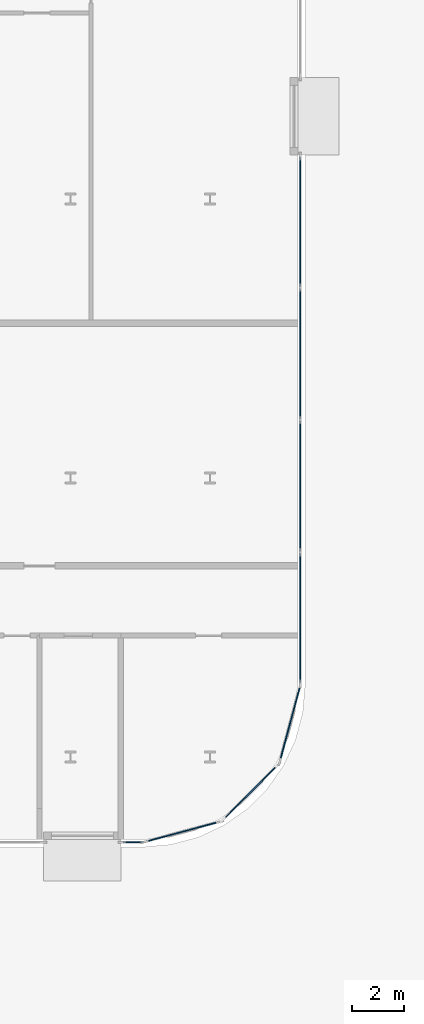
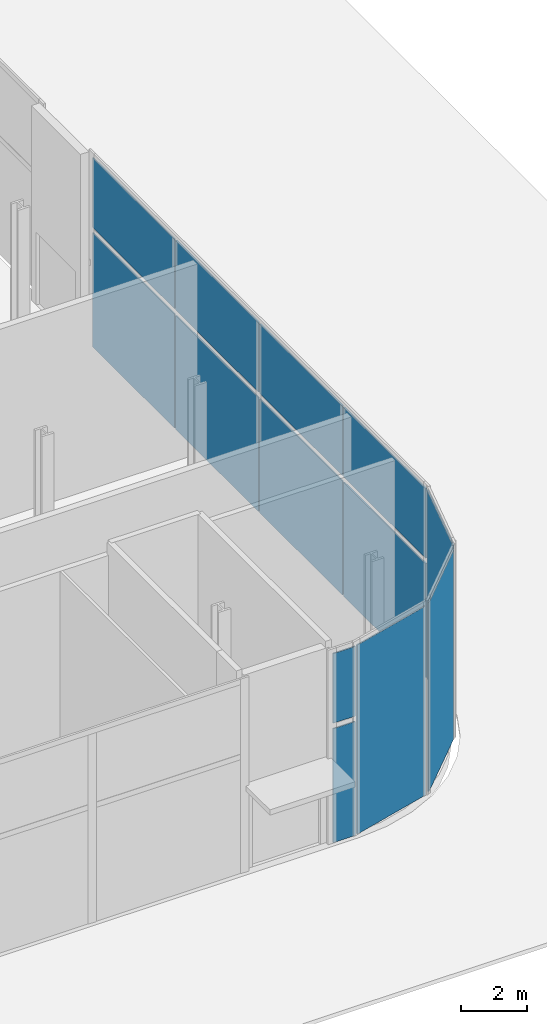
# One storey, part 20 of 46: 13 plates, 5 elements without a shape of their own.
"""IFC4 building model written with IfcOpenShell, lengths in metres."""

import ifcopenshell
import ifcopenshell.guid

model = None  # the IFC model being written
_history = None  # IfcOwnerHistory: only IFC2X3 demands one
_inside = {}  # id of a spatial element -> (the spatial element, [elements in it])
_under = {}  # id of a project, library or spatial element -> (it, [spatial elements below it])
_declared = {}  # id of a project -> (the project, [libraries it declares])
_typed = {}  # id of a type object -> (the type object, [elements of that type])
_made_of = {}  # id of a material, layer set ... -> (it, [elements and type objects made of it])


def new_model(schema):
    """Start an empty IFC model of exactly this schema.

    Asked for "IFC4X3", IfcOpenShell would pick the latest addendum, in which some entities
    have other attributes; the version numbers below select the first issue.
    IFC2X3 requires an IfcOwnerHistory on every rooted entity: one is made here for all.
    """
    global model, _history
    if schema == "IFC4X3":
        model = ifcopenshell.file(schema_version=(4, 3, 0, 0))
    else:
        model = ifcopenshell.file(schema=schema)
    _inside.clear()
    _under.clear()
    _declared.clear()
    _typed.clear()
    _made_of.clear()
    _history = None
    if model.schema == "IFC2X3":
        org = make("IfcOrganization", Name="unknown")
        user = make(
            "IfcPersonAndOrganization",
            ThePerson=make("IfcPerson", FamilyName="unknown"),
            TheOrganization=org,
        )
        app = make(
            "IfcApplication",
            ApplicationDeveloper=org,
            Version="unknown",
            ApplicationFullName="unknown",
            ApplicationIdentifier="unknown",
        )
        _history = make(
            "IfcOwnerHistory",
            OwningUser=user,
            OwningApplication=app,
            ChangeAction="ADDED",
            CreationDate=0,
        )
    return model


def make(cls, **values):
    """One entity of the class cls with the attributes given. An attribute that is None is left unset."""
    return model.create_entity(
        cls, **{name: value for name, value in values.items() if value is not None}
    )


def rooted(cls, **values):
    """An entity with a GlobalId (a new one), such as an element, a storey or a relation."""
    return make(cls, GlobalId=ifcopenshell.guid.new(), OwnerHistory=_history, **values)


def si_unit(unit_type, name, prefix=None):
    """IfcSIUnit, for example si_unit("LENGTHUNIT", "METRE", prefix="MILLI")."""
    return make("IfcSIUnit", UnitType=unit_type, Prefix=prefix, Name=name)


def assignment(units):
    """IfcUnitAssignment: the units of a project."""
    return None if units is None else make("IfcUnitAssignment", Units=units)


def point(xyz):
    """IfcCartesianPoint."""
    return None if xyz is None else make("IfcCartesianPoint", Coordinates=xyz)


def direction(xyz):
    """IfcDirection."""
    return None if xyz is None else make("IfcDirection", DirectionRatios=xyz)


def frame(location, z_axis=None, x_axis=None):
    """IfcAxis2Placement3D, a coordinate frame: its origin and axes. An axis left out is left unset."""
    return make(
        "IfcAxis2Placement3D",
        Location=point(location),
        Axis=direction(z_axis),
        RefDirection=direction(x_axis),
    )


def frame_2d(location, x_axis=None):
    """IfcAxis2Placement2D, a coordinate frame in the plane: its origin and x axis."""
    return make(
        "IfcAxis2Placement2D", Location=point(location), RefDirection=direction(x_axis)
    )


def origin():
    """The frame at (0, 0, 0) with its axes left unset."""
    return frame((0.0, 0.0, 0.0))


def origin_2d():
    """The frame at (0, 0) in the plane with its x axis left unset."""
    return frame_2d((0.0, 0.0))


def place(relative_to, where):
    """IfcLocalPlacement: puts the frame where relative to a parent placement (None: the world)."""
    return make(
        "IfcLocalPlacement", PlacementRelTo=relative_to, RelativePlacement=where
    )


def context(
    kind, dimensions, precision=None, world=None, true_north=None, identifier=None
):
    """IfcGeometricRepresentationContext, for example the 3D "Model" context."""
    return make(
        "IfcGeometricRepresentationContext",
        ContextIdentifier=identifier,
        ContextType=kind,
        CoordinateSpaceDimension=dimensions,
        Precision=precision,
        WorldCoordinateSystem=world,
        TrueNorth=true_north,
    )


def subcontext(parent, identifier, kind, view, scale=None):
    """IfcGeometricRepresentationSubContext, for example "Body" below "Model"."""
    return make(
        "IfcGeometricRepresentationSubContext",
        ContextIdentifier=identifier,
        ContextType=kind,
        ParentContext=parent,
        TargetScale=scale,
        TargetView=view,
    )


def project(units=None, contexts=None):
    """IfcProject with its units and contexts."""
    return rooted(
        "IfcProject",
        Name="project",
        RepresentationContexts=contexts,
        UnitsInContext=assignment(units),
    )


def spatial(cls, under=None, at=None, **own):
    """A site, building, storey or space (cls), placed at a placement, below another one or the project."""
    s = rooted(cls, ObjectPlacement=at, **own)
    if under is not None:
        _under.setdefault(under.id(), (under, []))[1].append(s)
    return s


def profile(cls, at=None, kind="AREA", **sizes):
    """A parametric profile (cls). Its sizes go by their IFC names, for example OverallWidth=200.0."""
    return make(cls, ProfileType=kind, Position=at, **sizes)


def rectangle(**sizes):
    """IfcRectangleProfileDef."""
    return profile("IfcRectangleProfileDef", **sizes)


def extrude(swept, where, along, depth):
    """IfcExtrudedAreaSolid: the profile swept, set in the frame where, extruded along a direction by depth."""
    return make(
        "IfcExtrudedAreaSolid",
        SweptArea=swept,
        Position=where,
        ExtrudedDirection=direction(along),
        Depth=depth,
    )


def shape(context_of_items, identifier, shape_type, items):
    """IfcShapeRepresentation: the items that make up one representation, for example the "Body"."""
    return make(
        "IfcShapeRepresentation",
        ContextOfItems=context_of_items,
        RepresentationIdentifier=identifier,
        RepresentationType=shape_type,
        Items=items,
    )


def material(Name=None, Category=None):
    """IfcMaterial."""
    return make("IfcMaterial", Name=Name, Category=Category)


def layer(
    of_material, thickness, ventilated=None, Name=None, Category=None, Priority=None
):
    """IfcMaterialLayer: one layer of a wall or slab, of a material (None: an air gap)."""
    return make(
        "IfcMaterialLayer",
        Material=of_material,
        LayerThickness=thickness,
        IsVentilated=ventilated,
        Name=Name,
        Category=Category,
        Priority=Priority,
    )


def layer_set(layers, Name=None):
    """IfcMaterialLayerSet."""
    return make("IfcMaterialLayerSet", MaterialLayers=layers, LayerSetName=Name)


def made_of(thing, what):
    """Note that an element or type object is made of a material, layer set ...; save() writes the relation."""
    if what is not None:
        _made_of.setdefault(what.id(), (what, []))[1].append(thing)
    return thing


def type_object(cls, material=None, **own):
    """A type object (cls), such as IfcWallType, which elements share."""
    return made_of(rooted(cls, **own), material)


def element(
    cls,
    number,
    at=None,
    inside=None,
    cuts=None,
    type_object=None,
    material=None,
    context=None,
    identifier="Body",
    shape_type=None,
    held_by="IfcProductDefinitionShape",
    body=None,
    shapes=None,
    **own,
):
    """One element of the class cls, such as IfcWall. Its Tag is "e" and its number.

    at: its placement. inside: the storey or other place that contains it. cuts: it is an
    opening in that element (IfcRelVoidsElement). A single representation is given by context,
    identifier, shape_type and body (its items); several are given by shapes. held_by: the class
    of the entity that holds the representations. save() writes the other relations.
    """
    e = rooted(cls, Tag="e%d" % number, ObjectPlacement=at, **own)
    if body is not None:
        shapes = [shape(context, identifier, shape_type, body)]
    if shapes is not None:
        e.Representation = make(held_by, Representations=shapes)
    if inside is not None:
        _inside.setdefault(inside.id(), (inside, []))[1].append(e)
    if cuts is not None:
        rooted(
            "IfcRelVoidsElement", RelatingBuildingElement=cuts, RelatedOpeningElement=e
        )
    if type_object is not None:
        _typed.setdefault(type_object.id(), (type_object, []))[1].append(e)
    return made_of(e, material)


def aggregate(whole, parts):
    """IfcRelAggregates: a whole, such as a stair, and the parts it consists of."""
    return rooted("IfcRelAggregates", RelatingObject=whole, RelatedObjects=parts)


def save(model, path):
    """Write the relations noted so far, then the file.

    IfcRelAggregates (storeys below a building ...), IfcRelContainedInSpatialStructure (elements
    in a storey), IfcRelDefinesByType, IfcRelAssociatesMaterial and IfcRelDeclares: one each for
    every whole, place, type object, material and project.
    """
    for whole, parts in _under.values():
        aggregate(whole, parts)
    for where, things in _inside.values():
        rooted(
            "IfcRelContainedInSpatialStructure",
            RelatedElements=things,
            RelatingStructure=where,
        )
    for kind, things in _typed.values():
        rooted("IfcRelDefinesByType", RelatedObjects=things, RelatingType=kind)
    for what, things in _made_of.values():
        rooted("IfcRelAssociatesMaterial", RelatedObjects=things, RelatingMaterial=what)
    for by, libraries in _declared.values():
        rooted("IfcRelDeclares", RelatingContext=by, RelatedDefinitions=libraries)
    model.write(path)


model = new_model("IFC4")

# Units and contexts
model_context = context("Model", 3, precision=1e-05, world=origin(), true_north=direction((0.0, 1.0)))
body_context = subcontext(model_context, "Body", "Model", "MODEL_VIEW")
ifc_project = project(units=[si_unit("LENGTHUNIT", "METRE"), si_unit("AREAUNIT", "SQUARE_METRE"), si_unit("VOLUMEUNIT", "CUBIC_METRE"), si_unit("PLANEANGLEUNIT", "RADIAN"), si_unit("MASSUNIT", "GRAM", prefix="KILO")], contexts=[model_context])

# Site, building, storey
site_placement = place(None, origin())
site = spatial("IfcSite", under=ifc_project, at=site_placement, CompositionType="ELEMENT")
building_placement = place(site_placement, origin())
building = spatial("IfcBuilding", under=site, at=building_placement, Name="Kheshtan School and Residences Tower", CompositionType="ELEMENT")
storey_placement = place(building_placement, origin())
storey = spatial("IfcBuildingStorey", under=building, at=storey_placement, Name="L00", CompositionType="ELEMENT", Elevation=0.0)

# Curtain wall, plates
ifc_material = material(Name="Clear low-e glass in thermally broken aluminium frame", Category="aluminium")
ifc_layer_1 = layer(ifc_material, 0.300048828125)
ifc_layer_set_1 = layer_set([ifc_layer_1], Name="Curtain wall CW-A")
curtain_wall_type = type_object("IfcCurtainWallType", Name="Curtain wall CW-A", PredefinedType="NOTDEFINED", material=ifc_layer_set_1)
curtain_wall_1_placement = place(storey_placement, origin())
curtain_wall_1 = element("IfcCurtainWall", 1, at=curtain_wall_1_placement, inside=storey, type_object=curtain_wall_type, Name="Curtain wall CWA8", PredefinedType="NOTDEFINED")
ifc_layer_2 = layer(ifc_material, 0.0439453125)
ifc_layer_set_2 = layer_set([ifc_layer_2], Name="CW-A glass panel")
plate_type = type_object("IfcPlateType", Name="CW-A glass panel", PredefinedType="CURTAIN_PANEL", material=ifc_layer_set_2)
plate_1_placement = place(storey_placement, frame((132.10009765625, 33.918701171875, 0.0), z_axis=(0.0, 0.0, 1.0), x_axis=(0.0, -1.0, 0.0)))
plate_1 = element("IfcPlate", 2, at=plate_1_placement, type_object=plate_type, Name="CWA8 panel 1.1", PredefinedType="CURTAIN_PANEL", context=body_context, shape_type="SweptSolid", body=[
    extrude(rectangle(XDim=5.012451171875, YDim=0.0439453125, at=origin_2d()), origin(), (0.0, 0.0, 1.0), 4.25),
])
plate_2_placement = place(storey_placement, frame((132.10009765625, 33.918701171875, 4.449951171875), z_axis=(0.0, 0.0, 1.0), x_axis=(0.0, -1.0, 0.0)))
plate_2 = element("IfcPlate", 3, at=plate_2_placement, type_object=plate_type, Name="CWA8 panel 1.2", PredefinedType="CURTAIN_PANEL", context=body_context, shape_type="SweptSolid", body=[
    extrude(rectangle(XDim=5.012451171875, YDim=0.0439453125, at=origin_2d()), origin(), (0.0, 0.0, 1.0), 2.60009765625),
])
plate_3_placement = place(storey_placement, frame((132.10009765625, 28.8125, 0.0), z_axis=(0.0, 0.0, 1.0), x_axis=(0.0, -1.0, 0.0)))
plate_3 = element("IfcPlate", 4, at=plate_3_placement, type_object=plate_type, Name="CWA8 panel 2.1", PredefinedType="CURTAIN_PANEL", context=body_context, shape_type="SweptSolid", body=[
    extrude(rectangle(XDim=5.050048828125, YDim=0.0439453125, at=origin_2d()), origin(), (0.0, 0.0, 1.0), 4.25),
])
plate_4_placement = place(storey_placement, frame((132.10009765625, 28.8125, 4.449951171875), z_axis=(0.0, 0.0, 1.0), x_axis=(0.0, -1.0, 0.0)))
plate_4 = element("IfcPlate", 5, at=plate_4_placement, type_object=plate_type, Name="CWA8 panel 2.2", PredefinedType="CURTAIN_PANEL", context=body_context, shape_type="SweptSolid", body=[
    extrude(rectangle(XDim=5.050048828125, YDim=0.0439453125, at=origin_2d()), origin(), (0.0, 0.0, 1.0), 2.60009765625),
])
plate_5_placement = place(storey_placement, frame((132.10009765625, 23.6875, 0.0), z_axis=(0.0, 0.0, 1.0), x_axis=(0.0, -1.0, 0.0)))
plate_5 = element("IfcPlate", 6, at=plate_5_placement, type_object=plate_type, Name="CWA8 panel 3.1", PredefinedType="CURTAIN_PANEL", context=body_context, shape_type="SweptSolid", body=[
    extrude(rectangle(XDim=5.050048828125, YDim=0.0439453125, at=origin_2d()), origin(), (0.0, 0.0, 1.0), 4.25),
])
plate_6_placement = place(storey_placement, frame((132.10009765625, 23.6875, 4.449951171875), z_axis=(0.0, 0.0, 1.0), x_axis=(0.0, -1.0, 0.0)))
plate_6 = element("IfcPlate", 7, at=plate_6_placement, type_object=plate_type, Name="CWA8 panel 3.2", PredefinedType="CURTAIN_PANEL", context=body_context, shape_type="SweptSolid", body=[
    extrude(rectangle(XDim=5.050048828125, YDim=0.0439453125, at=origin_2d()), origin(), (0.0, 0.0, 1.0), 2.60009765625),
])
plate_7_placement = place(storey_placement, frame((132.10009765625, 18.581298828125, 0.0), z_axis=(0.0, 0.0, 1.0), x_axis=(0.0, -1.0, 0.0)))
plate_7 = element("IfcPlate", 8, at=plate_7_placement, type_object=plate_type, Name="CWA8 panel 4.1", PredefinedType="CURTAIN_PANEL", context=body_context, shape_type="SweptSolid", body=[
    extrude(rectangle(XDim=5.012451171875, YDim=0.0439453125, at=origin_2d()), origin(), (0.0, 0.0, 1.0), 4.25),
])
plate_8_placement = place(storey_placement, frame((132.10009765625, 18.581298828125, 4.449951171875), z_axis=(0.0, 0.0, 1.0), x_axis=(0.0, -1.0, 0.0)))
plate_8 = element("IfcPlate", 9, at=plate_8_placement, type_object=plate_type, Name="CWA8 panel 4.2", PredefinedType="CURTAIN_PANEL", context=body_context, shape_type="SweptSolid", body=[
    extrude(rectangle(XDim=5.012451171875, YDim=0.0439453125, at=origin_2d()), origin(), (0.0, 0.0, 1.0), 2.60009765625),
])
aggregate(curtain_wall_1, [plate_1, plate_2, plate_3, plate_4, plate_5, plate_6, plate_7, plate_8])

# Curtain wall, plate
curtain_wall_2_placement = place(storey_placement, origin())
curtain_wall_2 = element("IfcCurtainWall", 10, at=curtain_wall_2_placement, inside=storey, type_object=curtain_wall_type, Name="Curtain wall CWA9", PredefinedType="NOTDEFINED")
plate_9_placement = place(storey_placement, frame((131.70751953125, 14.522216796875, 0.0), z_axis=(0.0, 0.0, 1.0), x_axis=(-0.258864833085, -0.965913556273, 0.0)))
plate_9 = element("IfcPlate", 11, at=plate_9_placement, type_object=plate_type, Name="CWA9 panel 1.1", PredefinedType="CURTAIN_PANEL", context=body_context, shape_type="SweptSolid", body=[
    extrude(rectangle(XDim=3.055419921875, YDim=0.0439453125, at=origin_2d()), origin(), (0.0, 0.0, 1.0), 7.050048828125),
])
aggregate(curtain_wall_2, [plate_9])

curtain_wall_3_placement = place(storey_placement, origin())
curtain_wall_3 = element("IfcCurtainWall", 12, at=curtain_wall_3_placement, inside=storey, type_object=curtain_wall_type, Name="Curtain wall CWA10", PredefinedType="NOTDEFINED")
plate_10_placement = place(storey_placement, frame((130.168701171875, 11.831298828125, 0.0), z_axis=(0.0, 0.0, 1.0), x_axis=(-0.707106781187, -0.707106781187, 0.0)))
plate_10 = element("IfcPlate", 13, at=plate_10_placement, type_object=plate_type, Name="CWA10 panel 1.1", PredefinedType="CURTAIN_PANEL", context=body_context, shape_type="SweptSolid", body=[
    extrude(rectangle(XDim=2.95556640625, YDim=0.0439453125, at=origin_2d()), origin(), (0.0, 0.0, 1.0), 7.050048828125),
])
aggregate(curtain_wall_3, [plate_10])

curtain_wall_4_placement = place(storey_placement, origin())
curtain_wall_4 = element("IfcCurtainWall", 14, at=curtain_wall_4_placement, inside=storey, type_object=curtain_wall_type, Name="Curtain wall CWA11", PredefinedType="NOTDEFINED")
plate_11_placement = place(storey_placement, frame((127.52587890625, 10.305419921875, 0.0), z_axis=(0.0, 0.0, 1.0), x_axis=(-0.965913556273, -0.258864833085, 0.0)))
plate_11 = element("IfcPlate", 15, at=plate_11_placement, type_object=plate_type, Name="CWA11 panel 1.1", PredefinedType="CURTAIN_PANEL", context=body_context, shape_type="SweptSolid", body=[
    extrude(rectangle(XDim=2.955810546875, YDim=0.0439453125, at=origin_2d()), origin(), (0.0, 0.0, 1.0), 7.050048828125),
])
aggregate(curtain_wall_4, [plate_11])

# Curtain wall, plates
curtain_wall_5_placement = place(storey_placement, origin())
curtain_wall_5 = element("IfcCurtainWall", 16, at=curtain_wall_5_placement, inside=storey, type_object=curtain_wall_type, Name="Curtain wall CWA12", PredefinedType="NOTDEFINED")
plate_12_placement = place(storey_placement, frame((125.6298828125, 9.89990234375, 0.0), z_axis=(0.0, 0.0, 1.0), x_axis=(-1.0, 0.0, 0.0)))
plate_12 = element("IfcPlate", 17, at=plate_12_placement, type_object=plate_type, Name="CWA12 panel 1.1", PredefinedType="CURTAIN_PANEL", context=body_context, shape_type="SweptSolid", body=[
    extrude(rectangle(XDim=0.78955078125, YDim=0.0439453125, at=origin_2d()), origin(), (0.0, 0.0, 1.0), 4.25),
])
plate_13_placement = place(storey_placement, frame((125.6298828125, 9.89990234375, 4.449951171875), z_axis=(0.0, 0.0, 1.0), x_axis=(-1.0, 0.0, 0.0)))
plate_13 = element("IfcPlate", 18, at=plate_13_placement, type_object=plate_type, Name="CWA12 panel 1.2", PredefinedType="CURTAIN_PANEL", context=body_context, shape_type="SweptSolid", body=[
    extrude(rectangle(XDim=0.78955078125, YDim=0.0439453125, at=origin_2d()), origin(), (0.0, 0.0, 1.0), 2.60009765625),
])
aggregate(curtain_wall_5, [plate_12, plate_13])

save(model, "model.ifc")
